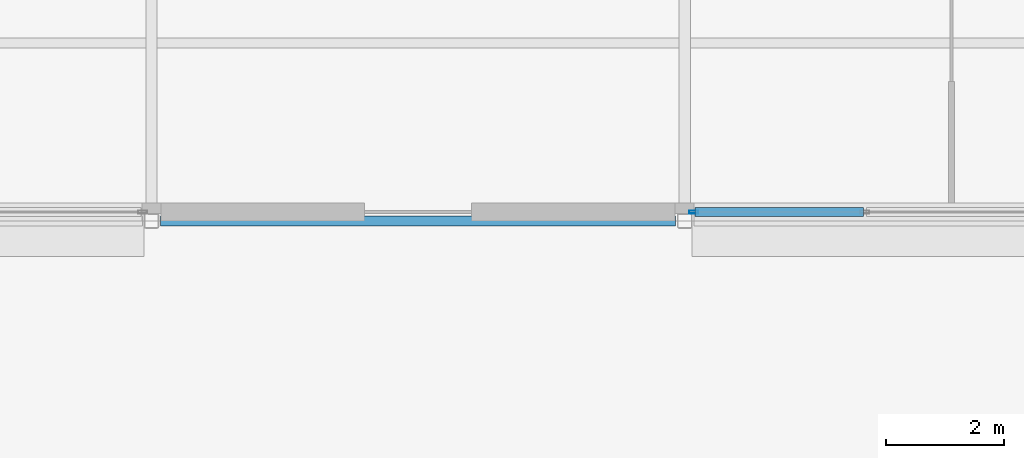
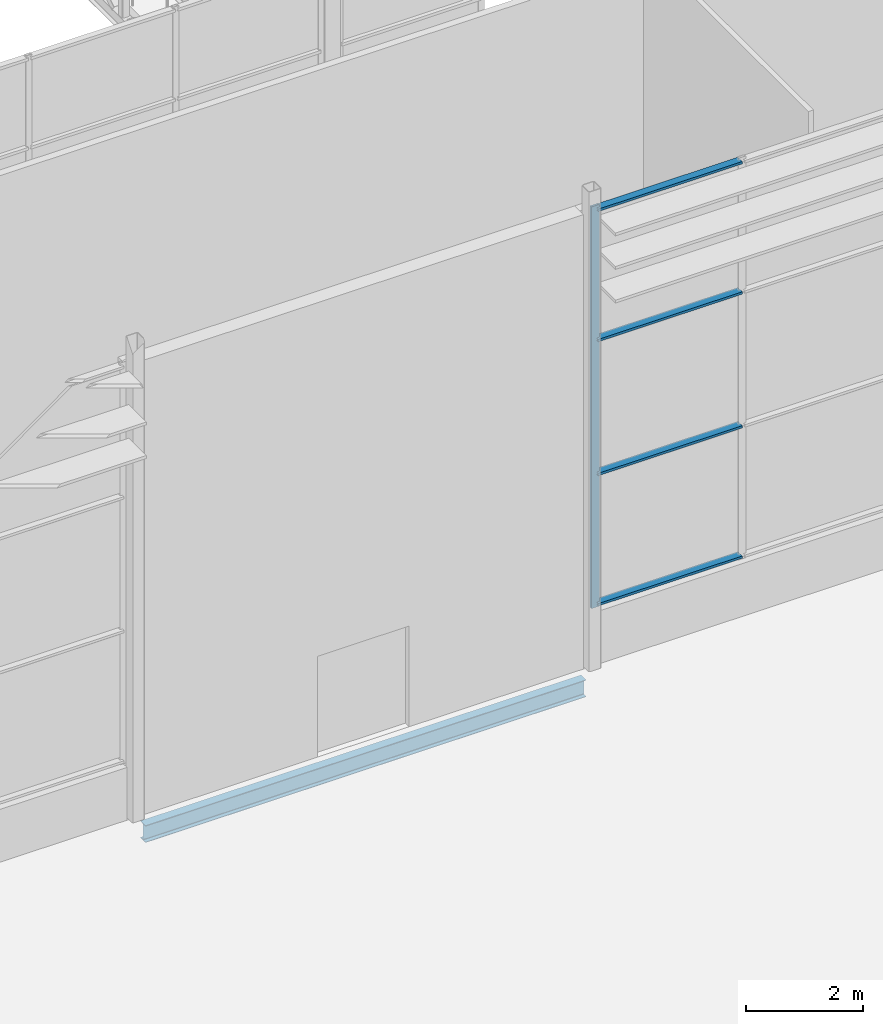
# One storey, part 18 of 111: 5 members, 1 beam, 1 element without a shape of its own.
"""IFC4 building model written with IfcOpenShell, lengths in metres."""

from ifc_helpers import new_model, si_unit, direction, frame, origin, origin_2d, place, context, subcontext, project, spatial, hollow_rectangle, i_section, extrude, material, layer, layer_set, material_profile, profile_set, type_object, element, aggregate, save


model = new_model("IFC4")

# Units and contexts
model_context = context("Model", 3, precision=1e-05, world=origin(), true_north=direction((0.0, 1.0)))
body_context = subcontext(model_context, "Body", "Model", "MODEL_VIEW")
ifc_project = project(units=[si_unit("LENGTHUNIT", "METRE"), si_unit("AREAUNIT", "SQUARE_METRE"), si_unit("VOLUMEUNIT", "CUBIC_METRE"), si_unit("PLANEANGLEUNIT", "RADIAN"), si_unit("MASSUNIT", "GRAM", prefix="KILO")], contexts=[model_context])

# Site, building, storey
site_placement = place(None, origin())
site = spatial("IfcSite", under=ifc_project, at=site_placement, CompositionType="ELEMENT")
building_placement = place(site_placement, origin())
building = spatial("IfcBuilding", under=site, at=building_placement, Name="Shorebreak Coast Museum", CompositionType="ELEMENT")
storey_placement = place(building_placement, frame((0.0, 0.0, 16.0)))
storey = spatial("IfcBuildingStorey", under=building, at=storey_placement, Name="L03", CompositionType="ELEMENT", Elevation=16.0)

# Beam
ifc_material_1 = material(Name="Steel Grade 300", Category="steel")
ifc_material_profile_1 = material_profile(ifc_material_1, i_section(OverallWidth=0.1708984375, OverallDepth=0.355712890625, WebThickness=0.00732421875, FlangeThickness=0.011474609375, FilletRadius=0.011474609375, at=origin_2d()), Name="360UB50.7")
ifc_profile_set_1 = profile_set([ifc_material_profile_1], Name="Steel Grade 300")
beam_type = type_object("IfcBeamType", Name="Floor girder east-west 360UB50.7", PredefinedType="BEAM", material=ifc_profile_set_1)
beam_placement = place(storey_placement, frame((72.153564453125, 54.0, -0.352783203125), z_axis=(1.0, 0.0, 0.0), x_axis=(0.0, 1.0, 0.0)))
element("IfcBeam", 1, at=beam_placement, inside=storey, type_object=beam_type, Name="Floor girder east-west L03 9G", PredefinedType="BEAM", context=body_context, shape_type="SweptSolid", body=[
    extrude(i_section(OverallWidth=0.1708984375, OverallDepth=0.355712890625, WebThickness=0.00732421875, FlangeThickness=0.011474609375, FilletRadius=0.011474609375, at=origin_2d()), origin(), (0.0, 0.0, 1.0), 8.69287109375),
])

# Curtain wall, members
ifc_material_2 = material(Name="Aluminium", Category="aluminium")
ifc_layer = layer(ifc_material_2, 0.14990234375)
ifc_layer_set = layer_set([ifc_layer], Name="Aluminium")
curtain_wall_type = type_object("IfcCurtainWallType", Name="Storefront curtain wall", PredefinedType="NOTDEFINED", material=ifc_layer_set)
curtain_wall_placement = place(storey_placement, origin())
curtain_wall = element("IfcCurtainWall", 2, at=curtain_wall_placement, inside=storey, type_object=curtain_wall_type, Name="Atrium Hall glazing L03 S 2", PredefinedType="NOTDEFINED")
ifc_material_3 = material(Name="Aluminium", Category="aluminium")
ifc_material_profile_2 = material_profile(ifc_material_3, hollow_rectangle(XDim=0.050048828125, YDim=0.14990234375, WallThickness=0.00390625, at=origin_2d()), Name="AL 150x50 RHS")
ifc_profile_set_2 = profile_set([ifc_material_profile_2], Name="Aluminium")
member_type_1 = type_object("IfcMemberType", Name="Storefront mullion 50 x 150", PredefinedType="MULLION", material=ifc_profile_set_2)
member_1_placement = place(storey_placement, frame((81.14990234375, 54.14990234375, 1.10009765625), z_axis=(0.0, 0.0, 1.0), x_axis=(0.0, 1.0, 0.0)))
member_1 = element("IfcMember", 3, at=member_1_placement, type_object=member_type_1, Name="CW5 mullion 1", PredefinedType="MULLION", context=body_context, shape_type="SweptSolid", body=[
    extrude(hollow_rectangle(XDim=0.050048828125, YDim=0.14990234375, WallThickness=0.00390625, at=origin_2d()), origin(), (0.0, 0.0, 1.0), 8.372802734375),
])
ifc_material_4 = material(Name="Aluminium", Category="aluminium")
ifc_material_profile_3 = material_profile(ifc_material_4, hollow_rectangle(XDim=0.14990234375, YDim=0.050048828125, WallThickness=0.00390625, at=origin_2d()), Name="AL 50x150 RHS")
ifc_profile_set_3 = profile_set([ifc_material_profile_3], Name="Aluminium")
member_type_2 = type_object("IfcMemberType", Name="Storefront transom 150 x 50", PredefinedType="USERDEFINED", material=ifc_profile_set_3)
member_2_placement = place(storey_placement, frame((81.175048828125, 54.14990234375, 1.175048828125), z_axis=(1.0, 0.0, 0.0), x_axis=(0.0, 1.0, 0.0)))
member_2 = element("IfcMember", 4, at=member_2_placement, type_object=member_type_2, Name="CW5 transom 1.1", ObjectType="TRANSOM", PredefinedType="USERDEFINED", context=body_context, shape_type="SweptSolid", body=[
    extrude(hollow_rectangle(XDim=0.14990234375, YDim=0.050048828125, WallThickness=0.00390625, at=origin_2d()), origin(), (0.0, 0.0, 1.0), 2.841552734375),
])
member_3_placement = place(storey_placement, frame((81.175048828125, 54.14990234375, 3.89111328125), z_axis=(1.0, 0.0, 0.0), x_axis=(0.0, 1.0, 0.0)))
member_3 = element("IfcMember", 5, at=member_3_placement, type_object=member_type_2, Name="CW5 transom 1.2", ObjectType="TRANSOM", PredefinedType="USERDEFINED", context=body_context, shape_type="SweptSolid", body=[
    extrude(hollow_rectangle(XDim=0.14990234375, YDim=0.050048828125, WallThickness=0.00390625, at=origin_2d()), origin(), (0.0, 0.0, 1.0), 2.841552734375),
])
member_4_placement = place(storey_placement, frame((81.175048828125, 54.14990234375, 6.681884765625), z_axis=(1.0, 0.0, 0.0), x_axis=(0.0, 1.0, 0.0)))
member_4 = element("IfcMember", 6, at=member_4_placement, type_object=member_type_2, Name="CW5 transom 1.3", ObjectType="TRANSOM", PredefinedType="USERDEFINED", context=body_context, shape_type="SweptSolid", body=[
    extrude(hollow_rectangle(XDim=0.14990234375, YDim=0.050048828125, WallThickness=0.00390625, at=origin_2d()), origin(), (0.0, 0.0, 1.0), 2.841552734375),
])
member_5_placement = place(storey_placement, frame((81.175048828125, 54.14990234375, 9.39794921875), z_axis=(1.0, 0.0, 0.0), x_axis=(0.0, 1.0, 0.0)))
member_5 = element("IfcMember", 7, at=member_5_placement, type_object=member_type_2, Name="CW5 transom 1.4", ObjectType="TRANSOM", PredefinedType="USERDEFINED", context=body_context, shape_type="SweptSolid", body=[
    extrude(hollow_rectangle(XDim=0.14990234375, YDim=0.050048828125, WallThickness=0.00390625, at=origin_2d()), origin(), (0.0, 0.0, 1.0), 2.841552734375),
])
aggregate(curtain_wall, [member_1, member_2, member_3, member_4, member_5])

save(model, "model.ifc")
